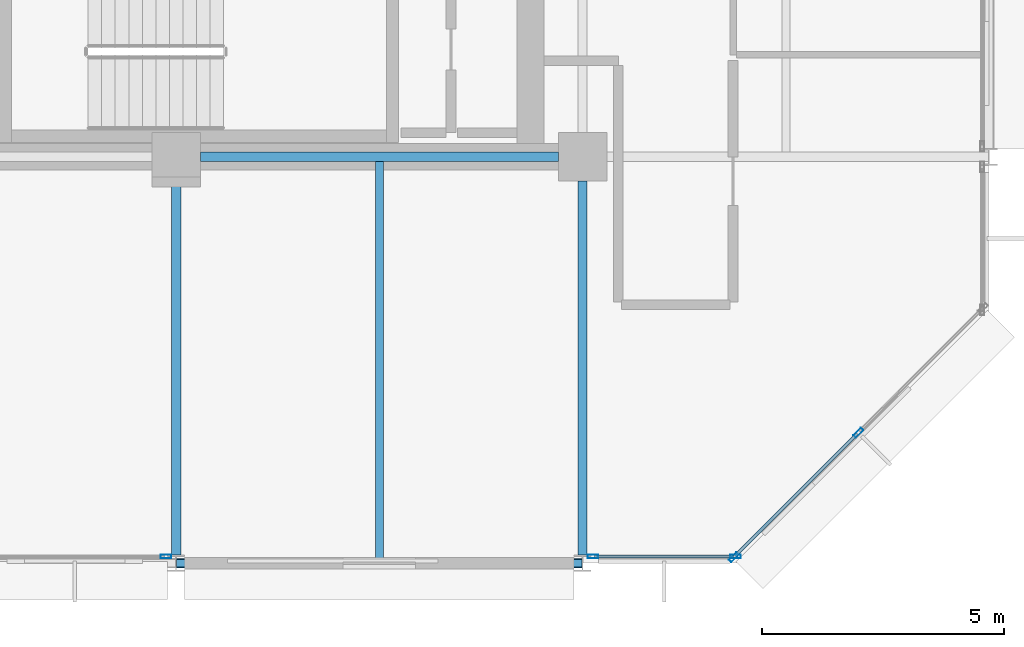
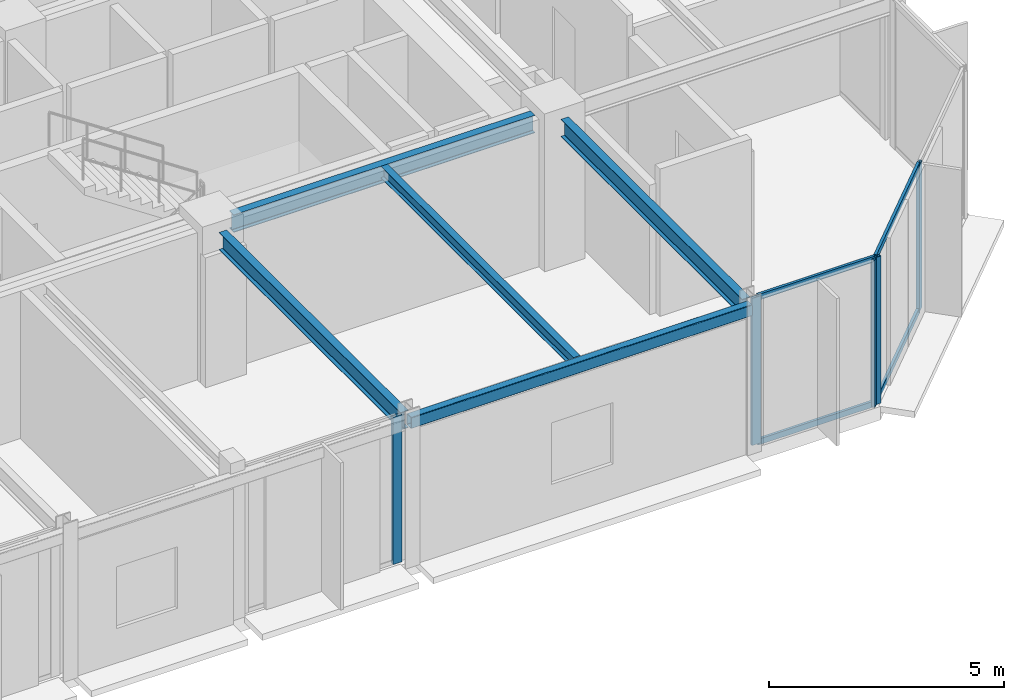
# One storey, part 7 of 21: 9 members, 5 beams, 3 elements without a shape of their own.
"""IFC4 building model written with IfcOpenShell, lengths in metres."""

from ifc_helpers import new_model, si_unit, direction, frame, origin, origin_2d, place, context, subcontext, project, spatial, hollow_rectangle, i_section, extrude, material, layer, layer_set, material_profile, profile_set, type_object, element, aggregate, save


model = new_model("IFC4")

# Units and contexts
model_context = context("Model", 3, precision=1e-05, world=origin(), true_north=direction((0.0, 1.0)))
body_context = subcontext(model_context, "Body", "Model", "MODEL_VIEW")
ifc_project = project(units=[si_unit("LENGTHUNIT", "METRE"), si_unit("AREAUNIT", "SQUARE_METRE"), si_unit("VOLUMEUNIT", "CUBIC_METRE"), si_unit("PLANEANGLEUNIT", "RADIAN"), si_unit("MASSUNIT", "GRAM", prefix="KILO")], contexts=[model_context])

# Site, building, storey
site_placement = place(None, origin())
site = spatial("IfcSite", under=ifc_project, at=site_placement, CompositionType="ELEMENT")
building_placement = place(site_placement, origin())
building = spatial("IfcBuilding", under=site, at=building_placement, Name="Nerrivon Quay Data Exchange", CompositionType="ELEMENT")
storey_placement = place(building_placement, frame((0.0, 0.0, 220.60009765625)))
storey = spatial("IfcBuildingStorey", under=building, at=storey_placement, Name="L52", CompositionType="ELEMENT", Elevation=220.60009765625)

# Beams
ifc_material_1 = material(Name="Steel Grade 350", Category="steel")
ifc_material_profile_1 = material_profile(ifc_material_1, i_section(OverallWidth=0.19091796875, OverallDepth=0.4599609375, WebThickness=0.010009765625, FlangeThickness=0.01611328125, FilletRadius=0.011474609375, at=origin_2d()), Name="460UB82.1")
ifc_profile_set_1 = profile_set([ifc_material_profile_1], Name="Steel Grade 350")
beam_type_1 = type_object("IfcBeamType", Name="BM-G5-460UB82", PredefinedType="BEAM", material=ifc_profile_set_1)
beam_1_placement = place(storey_placement, frame((25.699951171875, 8.39990234375, 3.594970703125), z_axis=(1.0, 0.0, 0.0), x_axis=(0.0, 1.0, 0.0)))
element("IfcBeam", 1, at=beam_1_placement, inside=storey, type_object=beam_type_1, Name="L52 EW Girder Y=8.4 (25.2..33.6)", PredefinedType="BEAM", context=body_context, shape_type="SweptSolid", body=[
    extrude(i_section(OverallWidth=0.19091796875, OverallDepth=0.4599609375, WebThickness=0.010009765625, FlangeThickness=0.01611328125, FilletRadius=0.011474609375, at=origin_2d()), origin(), (0.0, 0.0, 1.0), 7.400146484375),
])
ifc_material_profile_2 = material_profile(ifc_material_1, i_section(OverallWidth=0.18994140625, OverallDepth=0.4541015625, WebThickness=0.008544921875, FlangeThickness=0.0126953125, FilletRadius=0.011474609375, at=origin_2d()), Name="460UB67.1")
ifc_profile_set_2 = profile_set([ifc_material_profile_2], Name="Steel Grade 350")
beam_type_2 = type_object("IfcBeamType", Name="BM-G6-460UB67", PredefinedType="BEAM", material=ifc_profile_set_2)
for number, where, z_axis, x_axis, name in (
    (2, (25.199951171875, 0.175048828125, 3.597900390625), (0.0, 1.0, 0.0), (-1.0, 0.0, 0.0), "L52 NS Girder X=25.2 (0.0..8.4)"),
    (3, (33.60009765625, 0.175048828125, 3.597900390625), (0.0, 1.0, 0.0), (-1.0, 0.0, 0.0), "L52 NS Girder X=33.6 (0.0..8.4)"),
):
    element("IfcBeam", number, at=place(storey_placement, frame(where, z_axis=z_axis, x_axis=x_axis)), inside=storey, type_object=beam_type_2, Name=name, PredefinedType="BEAM", context=body_context, shape_type="SweptSolid", body=[
        extrude(i_section(OverallWidth=0.18994140625, OverallDepth=0.4541015625, WebThickness=0.008544921875, FlangeThickness=0.0126953125, FilletRadius=0.011474609375, at=origin_2d()), origin(), (0.0, 0.0, 1.0), 7.724853515625),
    ])
ifc_material_profile_3 = material_profile(ifc_material_1, i_section(OverallWidth=0.166015625, OverallDepth=0.306884765625, WebThickness=0.006591796875, FlangeThickness=0.01171875, FilletRadius=0.011474609375, at=origin_2d()), Name="310UB46.2")
ifc_profile_set_3 = profile_set([ifc_material_profile_3], Name="Steel Grade 350")
beam_type_3 = type_object("IfcBeamType", Name="BM-J5-310UB46", PredefinedType="JOIST", material=ifc_profile_set_3)
beam_2_placement = place(storey_placement, frame((29.39990234375, 0.10009765625, 3.67138671875), z_axis=(0.0, 1.0, 0.0), x_axis=(-1.0, 0.0, 0.0)))
element("IfcBeam", 4, at=beam_2_placement, inside=storey, type_object=beam_type_3, Name="L52 Secondary Joist X=29.4 (0.0..8.4)", PredefinedType="JOIST", context=body_context, shape_type="SweptSolid", body=[
    extrude(i_section(OverallWidth=0.166015625, OverallDepth=0.306884765625, WebThickness=0.006591796875, FlangeThickness=0.01171875, FilletRadius=0.011474609375, at=origin_2d()), origin(), (0.0, 0.0, 1.0), 8.204345703125),
])
ifc_material_2 = material(Name="Steel Grade C350L0 (350 MPa)", Category="steel")
ifc_material_profile_4 = material_profile(ifc_material_2, hollow_rectangle(XDim=0.199951171875, YDim=0.300048828125, WallThickness=0.012451171875, InnerFilletRadius=0.018798828125, OuterFilletRadius=0.03125, at=origin_2d()), Name="300x200x12.5RHS")
ifc_profile_set_4 = profile_set([ifc_material_profile_4], Name="Steel Grade C350L0 (350 MPa)")
beam_type_4 = type_object("IfcBeamType", Name="BM-SP3-300x200RHS", PredefinedType="SPANDREL", material=ifc_profile_set_4)
beam_3_placement = place(storey_placement, frame((25.2099609375, 0.0, 3.6748046875), z_axis=(1.0, 0.0, 0.0), x_axis=(0.0, 1.0, 0.0)))
element("IfcBeam", 5, at=beam_3_placement, inside=storey, type_object=beam_type_4, Name="L52 EW Girder Y=0.0 (25.2..33.6)", PredefinedType="SPANDREL", context=body_context, shape_type="SweptSolid", body=[
    extrude(hollow_rectangle(XDim=0.199951171875, YDim=0.300048828125, WallThickness=0.012451171875, InnerFilletRadius=0.018798828125, OuterFilletRadius=0.03125, at=origin_2d()), origin(), (0.0, 0.0, 1.0), 8.380126953125),
])

# Curtain wall, members
ifc_material_3 = material(Name="Anodised aluminium 6063-T6", Category="aluminium")
ifc_layer = layer(ifc_material_3, 0.22998046875)
ifc_layer_set = layer_set([ifc_layer], Name="Anodised aluminium 6063-T6")
curtain_wall_type = type_object("IfcCurtainWallType", Name="CW-SYS-05", PredefinedType="NOTDEFINED", material=ifc_layer_set)
curtain_wall_1_placement = place(storey_placement, origin())
curtain_wall_1 = element("IfcCurtainWall", 6, at=curtain_wall_1_placement, inside=storey, type_object=curtain_wall_type, Name="L52 Unitised Curtain Wall 1", PredefinedType="NOTDEFINED")
ifc_material_profile_5 = material_profile(ifc_material_3, hollow_rectangle(XDim=0.074951171875, YDim=0.219970703125, WallThickness=0.00390625, at=origin_2d()), Name="ALU-MULL-220x75")
ifc_profile_set_5 = profile_set([ifc_material_profile_5], Name="Anodised aluminium 6063-T6")
member_type_1 = type_object("IfcMemberType", Name="CWM-220x75", PredefinedType="MULLION", material=ifc_profile_set_5)
member_1_placement = place(storey_placement, frame((39.301025390625, 2.698974609375, 0.0), z_axis=(0.0, 0.0, 1.0), x_axis=(0.707106781187, -0.707106781187, 0.0)))
member_1 = element("IfcMember", 7, at=member_1_placement, type_object=member_type_1, Name="CW05 mullion 2", PredefinedType="MULLION", context=body_context, shape_type="SweptSolid", body=[
    extrude(hollow_rectangle(XDim=0.074951171875, YDim=0.219970703125, WallThickness=0.00390625, at=origin_2d()), origin(), (0.0, 0.0, 1.0), 3.824951171875),
])
member_2_placement = place(storey_placement, frame((36.7275390625, 0.12548828125, 0.0), z_axis=(0.0, 0.0, 1.0), x_axis=(0.707106781187, -0.707106781187, 0.0)))
member_2 = element("IfcMember", 8, at=member_2_placement, type_object=member_type_1, Name="CW05 mullion 3", PredefinedType="MULLION", context=body_context, shape_type="SweptSolid", body=[
    extrude(hollow_rectangle(XDim=0.074951171875, YDim=0.219970703125, WallThickness=0.00390625, at=origin_2d()), origin(), (0.0, 0.0, 1.0), 3.824951171875),
])

curtain_wall_2_placement = place(storey_placement, origin())
curtain_wall_2 = element("IfcCurtainWall", 9, at=curtain_wall_2_placement, inside=storey, type_object=curtain_wall_type, Name="L52 Unitised Curtain Wall 2", PredefinedType="NOTDEFINED")
member_3_placement = place(storey_placement, frame((36.762451171875, 0.139892578125, 0.0), z_axis=(0.0, 0.0, 1.0), x_axis=(0.0, -1.0, 0.0)))
member_3 = element("IfcMember", 10, at=member_3_placement, type_object=member_type_1, Name="CW05 mullion 1", PredefinedType="MULLION", context=body_context, shape_type="SweptSolid", body=[
    extrude(hollow_rectangle(XDim=0.074951171875, YDim=0.219970703125, WallThickness=0.00390625, at=origin_2d()), origin(), (0.0, 0.0, 1.0), 3.824951171875),
])
member_4_placement = place(storey_placement, frame((33.8125, 0.139892578125, 0.0), z_axis=(0.0, 0.0, 1.0), x_axis=(0.0, -1.0, 0.0)))
member_4 = element("IfcMember", 11, at=member_4_placement, type_object=member_type_1, Name="CW05 mullion 2", PredefinedType="MULLION", context=body_context, shape_type="SweptSolid", body=[
    extrude(hollow_rectangle(XDim=0.074951171875, YDim=0.219970703125, WallThickness=0.00390625, at=origin_2d()), origin(), (0.0, 0.0, 1.0), 3.824951171875),
])

# Curtain wall, member
curtain_wall_3_placement = place(storey_placement, origin())
curtain_wall_3 = element("IfcCurtainWall", 12, at=curtain_wall_3_placement, inside=storey, type_object=curtain_wall_type, Name="L52 Unitised Curtain Wall 4", PredefinedType="NOTDEFINED")
member_5_placement = place(storey_placement, frame((24.987548828125, 0.139892578125, 0.0), z_axis=(0.0, 0.0, 1.0), x_axis=(0.0, -1.0, 0.0)))
member_5 = element("IfcMember", 13, at=member_5_placement, type_object=member_type_1, Name="CW05 mullion 1", PredefinedType="MULLION", context=body_context, shape_type="SweptSolid", body=[
    extrude(hollow_rectangle(XDim=0.074951171875, YDim=0.219970703125, WallThickness=0.00390625, at=origin_2d()), origin(), (0.0, 0.0, 1.0), 3.824951171875),
])
aggregate(curtain_wall_3, [member_5])

# Member
ifc_material_profile_6 = material_profile(ifc_material_3, hollow_rectangle(XDim=0.06494140625, YDim=0.14990234375, WallThickness=0.00341796875, at=origin_2d()), Name="ALU-TRAN-150x65")
ifc_profile_set_6 = profile_set([ifc_material_profile_6], Name="Anodised aluminium 6063-T6")
member_type_2 = type_object("IfcMemberType", Name="CWT-150x65", PredefinedType="USERDEFINED", material=ifc_profile_set_6)
member_6_placement = place(storey_placement, frame((39.2744140625, 2.67236328125, 0.032470703125), z_axis=(-0.707106781187, -0.707106781187, 0.0), x_axis=(0.707106781187, -0.707106781187, 0.0)))
member_6 = element("IfcMember", 14, at=member_6_placement, type_object=member_type_2, Name="CW05 transom 2.1", ObjectType="TRANSOM", PredefinedType="USERDEFINED", context=body_context, shape_type="SweptSolid", body=[
    extrude(hollow_rectangle(XDim=0.06494140625, YDim=0.14990234375, WallThickness=0.00341796875, at=origin_2d()), origin(), (0.0, 0.0, 1.0), 3.564208984375),
])

member_7_placement = place(storey_placement, frame((39.2744140625, 2.67236328125, 3.79248046875), z_axis=(-0.707106781187, -0.707106781187, 0.0), x_axis=(0.707106781187, -0.707106781187, 0.0)))
member_7 = element("IfcMember", 15, at=member_7_placement, type_object=member_type_2, Name="CW05 transom 2.2", ObjectType="TRANSOM", PredefinedType="USERDEFINED", context=body_context, shape_type="SweptSolid", body=[
    extrude(hollow_rectangle(XDim=0.06494140625, YDim=0.14990234375, WallThickness=0.00341796875, at=origin_2d()), origin(), (0.0, 0.0, 1.0), 3.564208984375),
])

aggregate(curtain_wall_1, [member_1, member_2, member_6, member_7])

member_8_placement = place(storey_placement, frame((36.72509765625, 0.139892578125, 0.032470703125), z_axis=(-1.0, 0.0, 0.0), x_axis=(0.0, -1.0, 0.0)))
member_8 = element("IfcMember", 16, at=member_8_placement, type_object=member_type_2, Name="CW05 transom 1.1", ObjectType="TRANSOM", PredefinedType="USERDEFINED", context=body_context, shape_type="SweptSolid", body=[
    extrude(hollow_rectangle(XDim=0.06494140625, YDim=0.14990234375, WallThickness=0.00341796875, at=origin_2d()), origin(), (0.0, 0.0, 1.0), 2.875),
])

member_9_placement = place(storey_placement, frame((36.72509765625, 0.139892578125, 3.79248046875), z_axis=(-1.0, 0.0, 0.0), x_axis=(0.0, -1.0, 0.0)))
member_9 = element("IfcMember", 17, at=member_9_placement, type_object=member_type_2, Name="CW05 transom 1.2", ObjectType="TRANSOM", PredefinedType="USERDEFINED", context=body_context, shape_type="SweptSolid", body=[
    extrude(hollow_rectangle(XDim=0.06494140625, YDim=0.14990234375, WallThickness=0.00341796875, at=origin_2d()), origin(), (0.0, 0.0, 1.0), 2.875),
])

aggregate(curtain_wall_2, [member_3, member_4, member_8, member_9])

save(model, "model.ifc")
